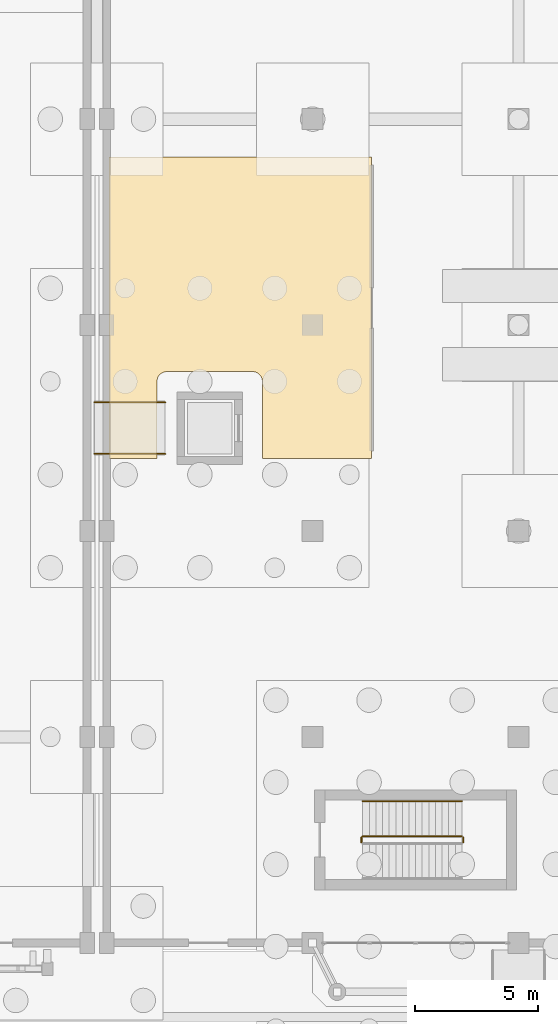
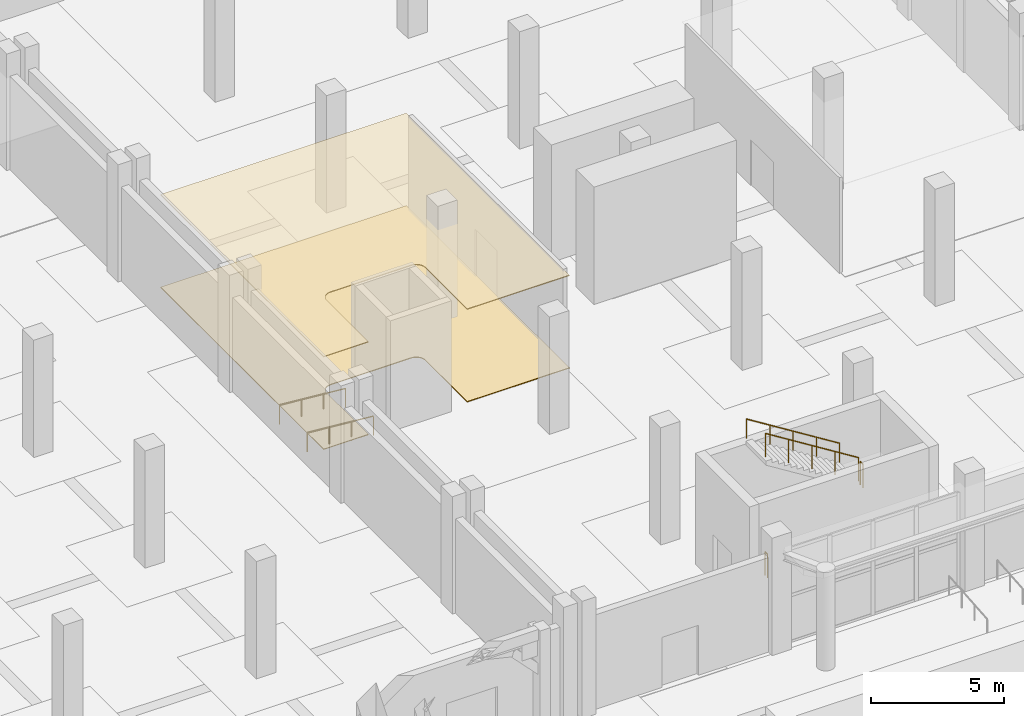
# One storey, part 83 of 98: 6 railings, 2 coverings.
"""IFC4 building model written with IfcOpenShell, lengths in metres."""

import ifcopenshell
import ifcopenshell.guid

model = None  # the IFC model being written
_history = None  # IfcOwnerHistory: only IFC2X3 demands one
_inside = {}  # id of a spatial element -> (the spatial element, [elements in it])
_under = {}  # id of a project, library or spatial element -> (it, [spatial elements below it])
_declared = {}  # id of a project -> (the project, [libraries it declares])
_typed = {}  # id of a type object -> (the type object, [elements of that type])
_made_of = {}  # id of a material, layer set ... -> (it, [elements and type objects made of it])


def new_model(schema):
    """Start an empty IFC model of exactly this schema.

    Asked for "IFC4X3", IfcOpenShell would pick the latest addendum, in which some entities
    have other attributes; the version numbers below select the first issue.
    IFC2X3 requires an IfcOwnerHistory on every rooted entity: one is made here for all.
    """
    global model, _history
    if schema == "IFC4X3":
        model = ifcopenshell.file(schema_version=(4, 3, 0, 0))
    else:
        model = ifcopenshell.file(schema=schema)
    _inside.clear()
    _under.clear()
    _declared.clear()
    _typed.clear()
    _made_of.clear()
    _history = None
    if model.schema == "IFC2X3":
        org = make("IfcOrganization", Name="unknown")
        user = make(
            "IfcPersonAndOrganization",
            ThePerson=make("IfcPerson", FamilyName="unknown"),
            TheOrganization=org,
        )
        app = make(
            "IfcApplication",
            ApplicationDeveloper=org,
            Version="unknown",
            ApplicationFullName="unknown",
            ApplicationIdentifier="unknown",
        )
        _history = make(
            "IfcOwnerHistory",
            OwningUser=user,
            OwningApplication=app,
            ChangeAction="ADDED",
            CreationDate=0,
        )
    return model


def make(cls, **values):
    """One entity of the class cls with the attributes given. An attribute that is None is left unset."""
    return model.create_entity(
        cls, **{name: value for name, value in values.items() if value is not None}
    )


def rooted(cls, **values):
    """An entity with a GlobalId (a new one), such as an element, a storey or a relation."""
    return make(cls, GlobalId=ifcopenshell.guid.new(), OwnerHistory=_history, **values)


def si_unit(unit_type, name, prefix=None):
    """IfcSIUnit, for example si_unit("LENGTHUNIT", "METRE", prefix="MILLI")."""
    return make("IfcSIUnit", UnitType=unit_type, Prefix=prefix, Name=name)


def assignment(units):
    """IfcUnitAssignment: the units of a project."""
    return None if units is None else make("IfcUnitAssignment", Units=units)


def point(xyz):
    """IfcCartesianPoint."""
    return None if xyz is None else make("IfcCartesianPoint", Coordinates=xyz)


def direction(xyz):
    """IfcDirection."""
    return None if xyz is None else make("IfcDirection", DirectionRatios=xyz)


def frame(location, z_axis=None, x_axis=None):
    """IfcAxis2Placement3D, a coordinate frame: its origin and axes. An axis left out is left unset."""
    return make(
        "IfcAxis2Placement3D",
        Location=point(location),
        Axis=direction(z_axis),
        RefDirection=direction(x_axis),
    )


def frame_2d(location, x_axis=None):
    """IfcAxis2Placement2D, a coordinate frame in the plane: its origin and x axis."""
    return make(
        "IfcAxis2Placement2D", Location=point(location), RefDirection=direction(x_axis)
    )


def origin():
    """The frame at (0, 0, 0) with its axes left unset."""
    return frame((0.0, 0.0, 0.0))


def origin_2d():
    """The frame at (0, 0) in the plane with its x axis left unset."""
    return frame_2d((0.0, 0.0))


def place(relative_to, where):
    """IfcLocalPlacement: puts the frame where relative to a parent placement (None: the world)."""
    return make(
        "IfcLocalPlacement", PlacementRelTo=relative_to, RelativePlacement=where
    )


def context(
    kind, dimensions, precision=None, world=None, true_north=None, identifier=None
):
    """IfcGeometricRepresentationContext, for example the 3D "Model" context."""
    return make(
        "IfcGeometricRepresentationContext",
        ContextIdentifier=identifier,
        ContextType=kind,
        CoordinateSpaceDimension=dimensions,
        Precision=precision,
        WorldCoordinateSystem=world,
        TrueNorth=true_north,
    )


def subcontext(parent, identifier, kind, view, scale=None):
    """IfcGeometricRepresentationSubContext, for example "Body" below "Model"."""
    return make(
        "IfcGeometricRepresentationSubContext",
        ContextIdentifier=identifier,
        ContextType=kind,
        ParentContext=parent,
        TargetScale=scale,
        TargetView=view,
    )


def project(units=None, contexts=None):
    """IfcProject with its units and contexts."""
    return rooted(
        "IfcProject",
        Name="project",
        RepresentationContexts=contexts,
        UnitsInContext=assignment(units),
    )


def spatial(cls, under=None, at=None, **own):
    """A site, building, storey or space (cls), placed at a placement, below another one or the project."""
    s = rooted(cls, ObjectPlacement=at, **own)
    if under is not None:
        _under.setdefault(under.id(), (under, []))[1].append(s)
    return s


def polyline(points):
    """IfcPolyline through the points."""
    return make("IfcPolyline", Points=[point(p) for p in points])


def profile(cls, at=None, kind="AREA", **sizes):
    """A parametric profile (cls). Its sizes go by their IFC names, for example OverallWidth=200.0."""
    return make(cls, ProfileType=kind, Position=at, **sizes)


def circle(**sizes):
    """IfcCircleProfileDef."""
    return profile("IfcCircleProfileDef", **sizes)


def outline(outer, holes=None, kind="AREA"):
    """IfcArbitraryClosedProfileDef: a profile drawn as a closed curve; with holes, ...WithVoids."""
    if holes is None:
        return make("IfcArbitraryClosedProfileDef", ProfileType=kind, OuterCurve=outer)
    return make(
        "IfcArbitraryProfileDefWithVoids",
        ProfileType=kind,
        OuterCurve=outer,
        InnerCurves=holes,
    )


def extrude(swept, where, along, depth):
    """IfcExtrudedAreaSolid: the profile swept, set in the frame where, extruded along a direction by depth."""
    return make(
        "IfcExtrudedAreaSolid",
        SweptArea=swept,
        Position=where,
        ExtrudedDirection=direction(along),
        Depth=depth,
    )


def shape(context_of_items, identifier, shape_type, items):
    """IfcShapeRepresentation: the items that make up one representation, for example the "Body"."""
    return make(
        "IfcShapeRepresentation",
        ContextOfItems=context_of_items,
        RepresentationIdentifier=identifier,
        RepresentationType=shape_type,
        Items=items,
    )


def material(Name=None, Category=None):
    """IfcMaterial."""
    return make("IfcMaterial", Name=Name, Category=Category)


def layer(
    of_material, thickness, ventilated=None, Name=None, Category=None, Priority=None
):
    """IfcMaterialLayer: one layer of a wall or slab, of a material (None: an air gap)."""
    return make(
        "IfcMaterialLayer",
        Material=of_material,
        LayerThickness=thickness,
        IsVentilated=ventilated,
        Name=Name,
        Category=Category,
        Priority=Priority,
    )


def layer_set(layers, Name=None):
    """IfcMaterialLayerSet."""
    return make("IfcMaterialLayerSet", MaterialLayers=layers, LayerSetName=Name)


def made_of(thing, what):
    """Note that an element or type object is made of a material, layer set ...; save() writes the relation."""
    if what is not None:
        _made_of.setdefault(what.id(), (what, []))[1].append(thing)
    return thing


def type_object(cls, material=None, **own):
    """A type object (cls), such as IfcWallType, which elements share."""
    return made_of(rooted(cls, **own), material)


def element(
    cls,
    number,
    at=None,
    inside=None,
    cuts=None,
    type_object=None,
    material=None,
    context=None,
    identifier="Body",
    shape_type=None,
    held_by="IfcProductDefinitionShape",
    body=None,
    shapes=None,
    **own,
):
    """One element of the class cls, such as IfcWall. Its Tag is "e" and its number.

    at: its placement. inside: the storey or other place that contains it. cuts: it is an
    opening in that element (IfcRelVoidsElement). A single representation is given by context,
    identifier, shape_type and body (its items); several are given by shapes. held_by: the class
    of the entity that holds the representations. save() writes the other relations.
    """
    e = rooted(cls, Tag="e%d" % number, ObjectPlacement=at, **own)
    if body is not None:
        shapes = [shape(context, identifier, shape_type, body)]
    if shapes is not None:
        e.Representation = make(held_by, Representations=shapes)
    if inside is not None:
        _inside.setdefault(inside.id(), (inside, []))[1].append(e)
    if cuts is not None:
        rooted(
            "IfcRelVoidsElement", RelatingBuildingElement=cuts, RelatedOpeningElement=e
        )
    if type_object is not None:
        _typed.setdefault(type_object.id(), (type_object, []))[1].append(e)
    return made_of(e, material)


def aggregate(whole, parts):
    """IfcRelAggregates: a whole, such as a stair, and the parts it consists of."""
    return rooted("IfcRelAggregates", RelatingObject=whole, RelatedObjects=parts)


def save(model, path):
    """Write the relations noted so far, then the file.

    IfcRelAggregates (storeys below a building ...), IfcRelContainedInSpatialStructure (elements
    in a storey), IfcRelDefinesByType, IfcRelAssociatesMaterial and IfcRelDeclares: one each for
    every whole, place, type object, material and project.
    """
    for whole, parts in _under.values():
        aggregate(whole, parts)
    for where, things in _inside.values():
        rooted(
            "IfcRelContainedInSpatialStructure",
            RelatedElements=things,
            RelatingStructure=where,
        )
    for kind, things in _typed.values():
        rooted("IfcRelDefinesByType", RelatedObjects=things, RelatingType=kind)
    for what, things in _made_of.values():
        rooted("IfcRelAssociatesMaterial", RelatedObjects=things, RelatingMaterial=what)
    for by, libraries in _declared.values():
        rooted("IfcRelDeclares", RelatingContext=by, RelatedDefinitions=libraries)
    model.write(path)


model = new_model("IFC4")

# Units and contexts
model_context = context("Model", 3, precision=1e-05, world=origin(), true_north=direction((0.0, 1.0)))
body_context = subcontext(model_context, "Body", "Model", "MODEL_VIEW")
ifc_project = project(units=[si_unit("LENGTHUNIT", "METRE"), si_unit("AREAUNIT", "SQUARE_METRE"), si_unit("VOLUMEUNIT", "CUBIC_METRE"), si_unit("PLANEANGLEUNIT", "RADIAN"), si_unit("MASSUNIT", "GRAM", prefix="KILO")], contexts=[model_context])

# Site, building, storey
site_placement = place(None, origin())
site = spatial("IfcSite", under=ifc_project, at=site_placement, CompositionType="ELEMENT")
building_placement = place(site_placement, origin())
building = spatial("IfcBuilding", under=site, at=building_placement, Name="Xazarin Passage Department Store", CompositionType="ELEMENT")
storey_placement = place(building_placement, origin())
storey = spatial("IfcBuildingStorey", under=building, at=storey_placement, Name="L00", CompositionType="ELEMENT", Elevation=0.0)

# Coverings
ifc_material_1 = material(Name="Acoustic mineral ceiling")
ifc_layer_1 = layer(ifc_material_1, 0.0400390625)
ifc_layer_set_1 = layer_set([ifc_layer_1], Name="Acoustic mineral ceiling")
covering_type_1 = type_object("IfcCoveringType", Name="ARC-COV-CLG040", PredefinedType="CEILING", material=ifc_layer_set_1)
covering_1_placement = place(storey_placement, frame((0.0, 0.0, 4.260009765625)))
element("IfcCovering", 1, at=covering_1_placement, inside=storey, type_object=covering_type_1, Name="L00 Silk and Cashmere Shop Acoustic Ceiling", PredefinedType="CEILING", context=body_context, shape_type="SweptSolid", body=[
    extrude(outline(polyline([(70.050048828125, 19.75), (70.050048828125, 22.89990234375), (70.052001953125, 22.939208984375), (70.0576171875, 22.97802734375), (70.067138671875, 23.01611328125), (70.080322265625, 23.052978515625), (70.09716796875, 23.088623046875), (70.117431640625, 23.122314453125), (70.140869140625, 23.15380859375), (70.167236328125, 23.182861328125), (70.1962890625, 23.209228515625), (70.227783203125, 23.232666015625), (70.261474609375, 23.252685546875), (70.296875, 23.26953125), (70.333984375, 23.28271484375), (70.3720703125, 23.292236328125), (70.410888671875, 23.298095703125), (70.449951171875, 23.300048828125), (73.949951171875, 23.300048828125), (73.9892578125, 23.298095703125), (74.028076171875, 23.292236328125), (74.066162109375, 23.28271484375), (74.10302734375, 23.26953125), (74.138671875, 23.252685546875), (74.172119140625, 23.232666015625), (74.203857421875, 23.209228515625), (74.23291015625, 23.182861328125), (74.25927734375, 23.15380859375), (74.28271484375, 23.122314453125), (74.302734375, 23.088623046875), (74.319580078125, 23.052978515625), (74.332763671875, 23.01611328125), (74.34228515625, 22.97802734375), (74.34814453125, 22.939208984375), (74.35009765625, 22.89990234375), (74.35009765625, 19.75), (78.800048828125, 19.75), (78.800048828125, 32.050048828125), (68.10009765625, 32.050048828125), (68.10009765625, 19.75), (70.050048828125, 19.75)])), origin(), (0.0, 0.0, 1.0), 0.0400390625),
])
ifc_material_2 = material(Name="Terrazzo stone flooring", Category="masonry")
ifc_layer_2 = layer(ifc_material_2, 0.034912109375)
ifc_layer_set_2 = layer_set([ifc_layer_2], Name="Terrazzo stone flooring")
covering_type_2 = type_object("IfcCoveringType", Name="ARC-COV-FLR035", PredefinedType="FLOORING", material=ifc_layer_set_2)
covering_2_placement = place(storey_placement, origin())
element("IfcCovering", 2, at=covering_2_placement, inside=storey, type_object=covering_type_2, Name="L00 Silk and Cashmere Shop Terrazzo Flooring", PredefinedType="FLOORING", context=body_context, shape_type="SweptSolid", body=[
    extrude(outline(polyline([(70.050048828125, 19.75), (70.050048828125, 22.89990234375), (70.052001953125, 22.939208984375), (70.0576171875, 22.97802734375), (70.067138671875, 23.01611328125), (70.080322265625, 23.052978515625), (70.09716796875, 23.088623046875), (70.117431640625, 23.122314453125), (70.140869140625, 23.15380859375), (70.167236328125, 23.182861328125), (70.1962890625, 23.209228515625), (70.227783203125, 23.232666015625), (70.261474609375, 23.252685546875), (70.296875, 23.26953125), (70.333984375, 23.28271484375), (70.3720703125, 23.292236328125), (70.410888671875, 23.298095703125), (70.449951171875, 23.300048828125), (73.949951171875, 23.300048828125), (73.9892578125, 23.298095703125), (74.028076171875, 23.292236328125), (74.066162109375, 23.28271484375), (74.10302734375, 23.26953125), (74.138671875, 23.252685546875), (74.172119140625, 23.232666015625), (74.203857421875, 23.209228515625), (74.23291015625, 23.182861328125), (74.25927734375, 23.15380859375), (74.28271484375, 23.122314453125), (74.302734375, 23.088623046875), (74.319580078125, 23.052978515625), (74.332763671875, 23.01611328125), (74.34228515625, 22.97802734375), (74.34814453125, 22.939208984375), (74.35009765625, 22.89990234375), (74.35009765625, 19.75), (78.800048828125, 19.75), (78.800048828125, 32.050048828125), (68.10009765625, 32.050048828125), (68.10009765625, 19.75), (70.050048828125, 19.75)])), origin(), (0.0, 0.0, 1.0), 0.034912109375),
])

# Railings
ifc_material_3 = material(Name="Steel S355", Category="steel")
railing_type_1 = type_object("IfcRailingType", Name="ARC-RL-GRD112", PredefinedType="GUARDRAIL", material=ifc_material_3)
railing_1_placement = place(storey_placement, frame((82.5400390625, 4.10009765625, 2.699951171875)))
element("IfcRailing", 3, at=railing_1_placement, inside=storey, type_object=railing_type_1, Name="L00 ST4 stair guard 2", PredefinedType="GUARDRAIL", context=body_context, shape_type="SweptSolid", body=[
    extrude(circle(Radius=0.02392578125, at=origin_2d()), frame((0.0, 0.0, 1.076171875), z_axis=(0.0, 1.0, 0.0), x_axis=(-1.0, 0.0, 0.0)), (0.0, 0.0, 1.0), 0.199951171875),
    extrude(circle(Radius=0.02099609375, at=origin_2d()), origin(), (0.0, 0.0, 1.0), 1.0517578125),
    extrude(circle(Radius=0.02099609375, at=origin_2d()), frame((0.0, 0.199951171875, 0.0)), (0.0, 0.0, 1.0), 1.0517578125),
])
railing_2_placement = place(storey_placement, frame((82.489990234375, 4.35009765625, 2.86865234375)))
element("IfcRailing", 4, at=railing_2_placement, inside=storey, type_object=railing_type_1, Name="L00 ST4 stair guard 3", PredefinedType="GUARDRAIL", context=body_context, shape_type="SweptSolid", body=[
    extrude(circle(Radius=0.02392578125, at=origin_2d()), frame((0.0, 0.0, 1.076171875), z_axis=(-0.848001175806, 0.0, 0.529994345094), x_axis=(0.0, -1.0, 0.0)), (0.0, 0.0, 1.0), 4.77587890625),
    extrude(circle(Radius=0.02099609375, at=origin_2d()), origin(), (0.0, 0.0, 1.0), 1.0517578125),
    extrude(circle(Radius=0.02099609375, at=origin_2d()), frame((-1.012451171875, 0.0, 0.6328125)), (0.0, 0.0, 1.0), 1.0517578125),
    extrude(circle(Radius=0.02099609375, at=origin_2d()), frame((-2.02490234375, 0.0, 1.265625)), (0.0, 0.0, 1.0), 1.0517578125),
    extrude(circle(Radius=0.02099609375, at=origin_2d()), frame((-3.03759765625, 0.0, 1.8984375)), (0.0, 0.0, 1.0), 1.0517578125),
    extrude(circle(Radius=0.02099609375, at=origin_2d()), frame((-4.050048828125, 0.0, 2.53125)), (0.0, 0.0, 1.0), 1.0517578125),
])
railing_3_placement = place(storey_placement, frame((78.389892578125, 4.10009765625, 0.0)))
element("IfcRailing", 5, at=railing_3_placement, inside=storey, type_object=railing_type_1, Name="L00 ST4 stair guard 4", PredefinedType="GUARDRAIL", context=body_context, shape_type="SweptSolid", body=[
    extrude(circle(Radius=0.02392578125, at=origin_2d()), frame((0.0, 0.0, 1.076171875), z_axis=(0.0, 1.0, 0.0), x_axis=(-1.0, 0.0, 0.0)), (0.0, 0.0, 1.0), 0.199951171875),
    extrude(circle(Radius=0.02099609375, at=origin_2d()), origin(), (0.0, 0.0, 1.0), 1.0517578125),
    extrude(circle(Radius=0.02099609375, at=origin_2d()), frame((0.0, 0.199951171875, 0.0)), (0.0, 0.0, 1.0), 1.0517578125),
])
railing_type_2 = type_object("IfcRailingType", Name="ARC-RL-HND090", PredefinedType="HANDRAIL", material=ifc_material_3)
for number, where, name in (
    (6, (70.3798828125, 19.949951171875, -0.239990234375), "RMP-05 Left Handrail"),
    (7, (70.3798828125, 22.050048828125, -0.239990234375), "RMP-05 Right Handrail"),
):
    element("IfcRailing", number, at=place(storey_placement, frame(where)), inside=storey, type_object=railing_type_2, Name=name, PredefinedType="HANDRAIL", context=body_context, shape_type="SweptSolid", body=[
        extrude(circle(Radius=0.02392578125, at=origin_2d()), frame((0.0, 0.0, 0.8759765625), z_axis=(-0.996545758245, 0.0, 0.083045479854), x_axis=(0.0, -1.0, 0.0)), (0.0, 0.0, 1.0), 2.889892578125),
        extrude(circle(Radius=0.02099609375, at=origin_2d()), origin(), (0.0, 0.0, 1.0), 0.8515625),
        extrude(circle(Radius=0.02099609375, at=origin_2d()), frame((-0.9599609375, 0.0, 0.080078125)), (0.0, 0.0, 1.0), 0.8515625),
        extrude(circle(Radius=0.02099609375, at=origin_2d()), frame((-1.919921875, 0.0, 0.159912109375)), (0.0, 0.0, 1.0), 0.8515625),
        extrude(circle(Radius=0.02099609375, at=origin_2d()), frame((-2.8798828125, 0.0, 0.239990234375)), (0.0, 0.0, 1.0), 0.8515625),
    ])
railing_4_placement = place(storey_placement, frame((82.489990234375, 5.77001953125, 2.86865234375)))
element("IfcRailing", 8, at=railing_4_placement, inside=storey, type_object=railing_type_2, Name="L00 ST4 stair handrail 2", PredefinedType="HANDRAIL", context=body_context, shape_type="SweptSolid", body=[
    extrude(circle(Radius=0.02392578125, at=origin_2d()), frame((0.0, 0.0, 0.8759765625), z_axis=(-0.848001175806, 0.0, 0.529994345094), x_axis=(0.0, -1.0, 0.0)), (0.0, 0.0, 1.0), 4.77587890625),
    extrude(circle(Radius=0.02099609375, at=origin_2d()), origin(), (0.0, 0.0, 1.0), 0.8515625),
    extrude(circle(Radius=0.02099609375, at=origin_2d()), frame((-1.012451171875, 0.0, 0.6328125)), (0.0, 0.0, 1.0), 0.8515625),
    extrude(circle(Radius=0.02099609375, at=origin_2d()), frame((-2.02490234375, 0.0, 1.265625)), (0.0, 0.0, 1.0), 0.8515625),
    extrude(circle(Radius=0.02099609375, at=origin_2d()), frame((-3.03759765625, 0.0, 1.8984375)), (0.0, 0.0, 1.0), 0.8515625),
    extrude(circle(Radius=0.02099609375, at=origin_2d()), frame((-4.050048828125, 0.0, 2.53125)), (0.0, 0.0, 1.0), 0.8515625),
])

save(model, "model.ifc")
